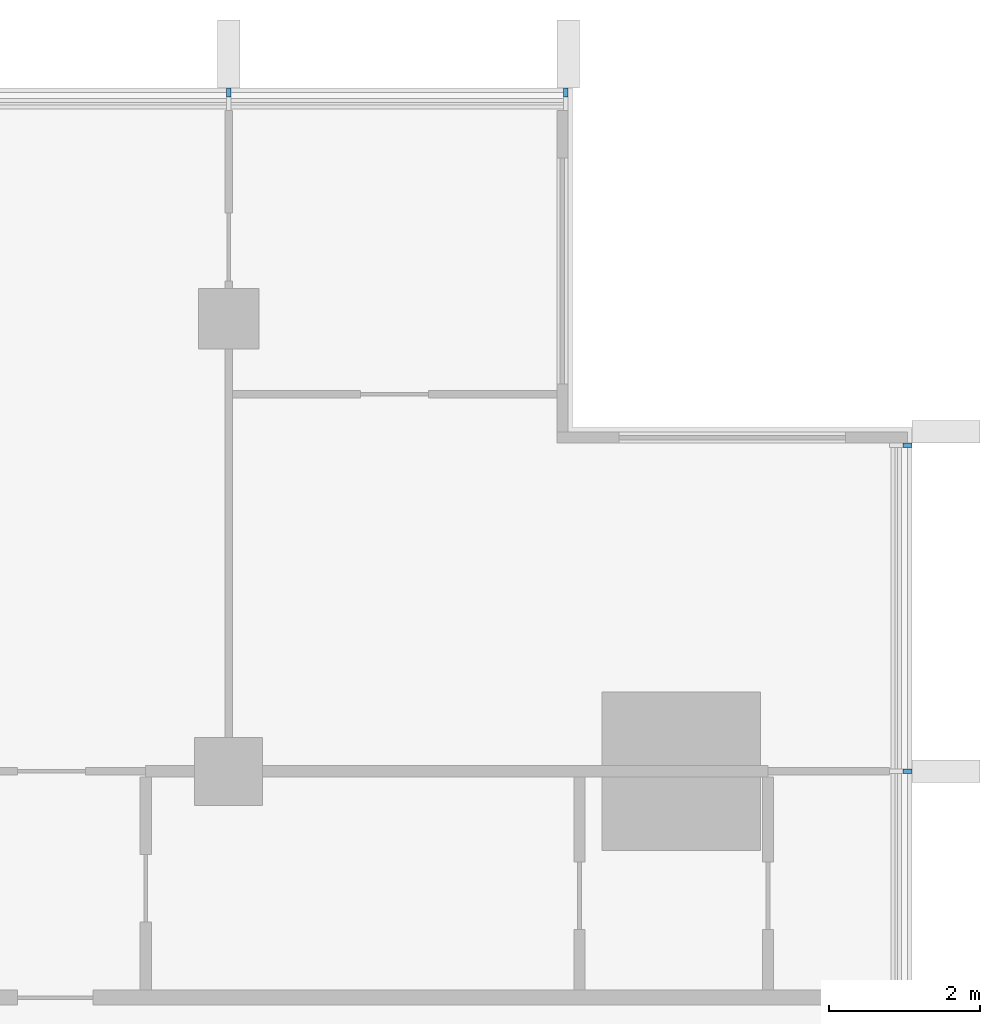
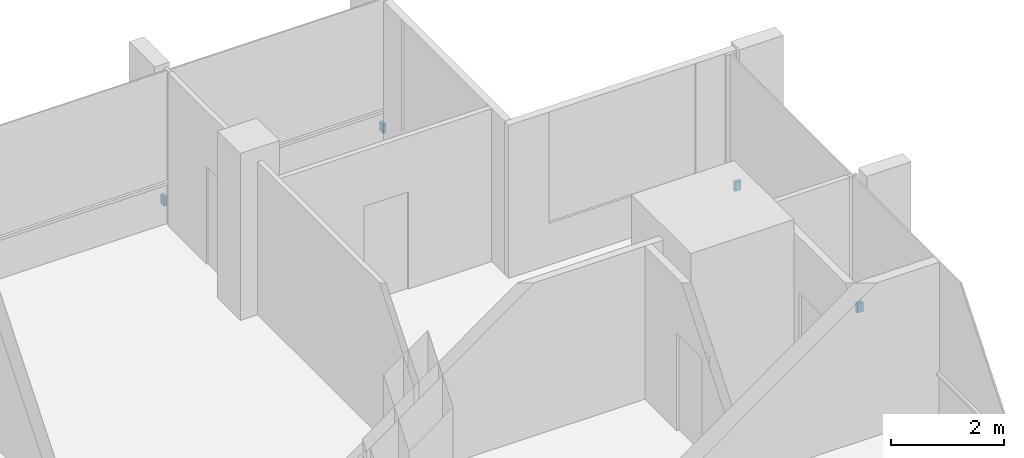
# One storey, part 15 of 16: 4 discrete accessories.
"""IFC4 building model written with IfcOpenShell, lengths in metres."""

from ifc_helpers import new_model, si_unit, direction, frame, origin, origin_2d, place, context, subcontext, project, spatial, rectangle, extrude, material, type_object, element, save


model = new_model("IFC4")

# Units and contexts
model_context = context("Model", 3, precision=1e-05, world=origin(), true_north=direction((0.0, 1.0)))
body_context = subcontext(model_context, "Body", "Model", "MODEL_VIEW")
ifc_project = project(units=[si_unit("LENGTHUNIT", "METRE"), si_unit("AREAUNIT", "SQUARE_METRE"), si_unit("VOLUMEUNIT", "CUBIC_METRE"), si_unit("PLANEANGLEUNIT", "RADIAN"), si_unit("MASSUNIT", "GRAM", prefix="KILO")], contexts=[model_context])

# Site, building, storey
site_placement = place(None, origin())
site = spatial("IfcSite", under=ifc_project, at=site_placement, CompositionType="ELEMENT")
building_placement = place(site_placement, origin())
building = spatial("IfcBuilding", under=site, at=building_placement, Name="Finial Court Residences", CompositionType="ELEMENT")
storey_placement = place(building_placement, frame((0.0, 0.0, 215.89990234375)))
storey = spatial("IfcBuildingStorey", under=building, at=storey_placement, Name="L54", CompositionType="ELEMENT", Elevation=215.89990234375)

# Discrete accessories
ifc_material = material(Name="Stainless steel 316", Category="steel")
discrete_accessory_type = type_object("IfcDiscreteAccessoryType", Name="Fin bracket, stainless steel 60 x 122 x 200", PredefinedType="BRACKET", material=ifc_material)
for number, where, z_axis, x_axis, name in (
    (1, (10.5, 16.498779296875, 0.30029296875), (0.0, 0.0, 1.0), (1.0, 0.0, 0.0), "E-L54-FIN-N5-BRK"),
    (2, (14.969970703125, 16.498779296875, 0.30029296875), (0.0, 0.0, 1.0), (1.0, 0.0, 0.0), "E-L54-FIN-N6-BRK"),
):
    element("IfcDiscreteAccessory", number, at=place(storey_placement, frame(where, z_axis=z_axis, x_axis=x_axis)), inside=storey, type_object=discrete_accessory_type, Name=name, PredefinedType="BRACKET", context=body_context, shape_type="SweptSolid", body=[
        extrude(rectangle(XDim=0.06005859375, YDim=0.12255859375, at=origin_2d()), origin(), (0.0, 0.0, 1.0), 0.199951171875),
    ])
for number, where, z_axis, x_axis, name in (
    (3, (19.498779296875, 7.5, 0.30029296875), (0.0, 0.0, 1.0), (1.0, 0.0, 0.0), "E-L54-FIN-E11-BRK"),
    (4, (19.498779296875, 11.820068359375, 0.30029296875), (0.0, 0.0, 1.0), (1.0, 0.0, 0.0), "E-L54-FIN-E12-BRK"),
):
    element("IfcDiscreteAccessory", number, at=place(storey_placement, frame(where, z_axis=z_axis, x_axis=x_axis)), inside=storey, type_object=discrete_accessory_type, Name=name, PredefinedType="BRACKET", context=body_context, shape_type="SweptSolid", body=[
        extrude(rectangle(XDim=0.12255859375, YDim=0.06005859375, at=origin_2d()), origin(), (0.0, 0.0, 1.0), 0.199951171875),
    ])

save(model, "model.ifc")
